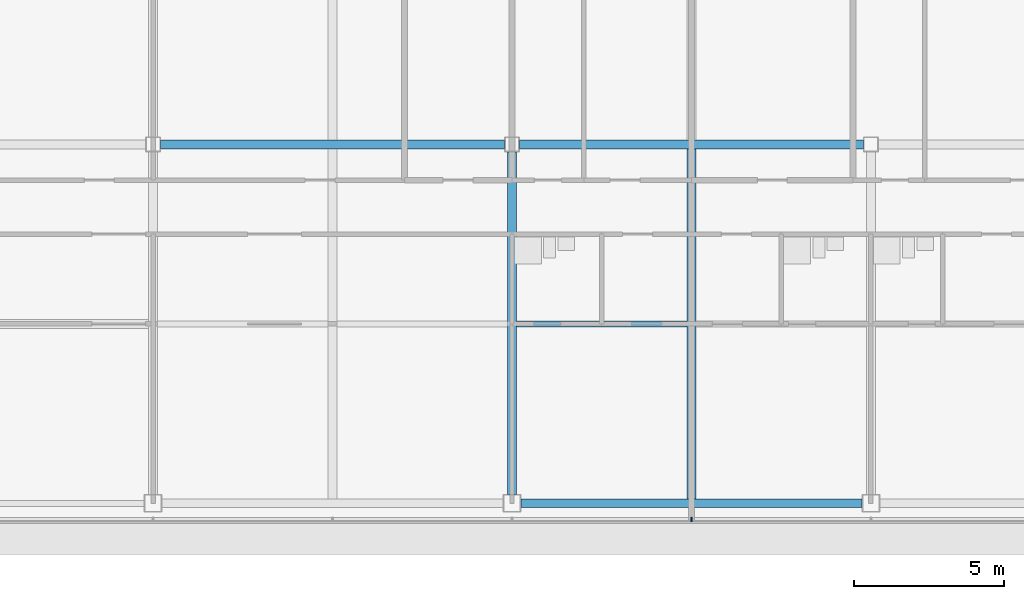
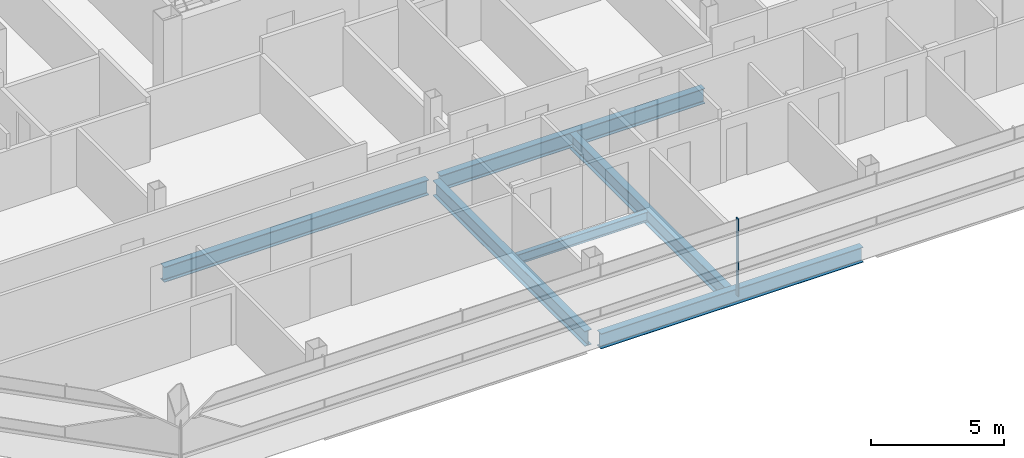
# One storey, part 4 of 28: 6 beams, 1 member, 1 element without a shape of its own.
"""IFC4 building model written with IfcOpenShell, lengths in metres."""

from ifc_helpers import new_model, si_unit, direction, frame, origin, origin_2d, place, context, subcontext, project, spatial, rectangle, i_section, extrude, material, material_profile, profile_set, type_object, element, aggregate, save


model = new_model("IFC4")

# Units and contexts
model_context = context("Model", 3, precision=1e-05, world=origin(), true_north=direction((0.0, 1.0)))
body_context = subcontext(model_context, "Body", "Model", "MODEL_VIEW")
ifc_project = project(units=[si_unit("LENGTHUNIT", "METRE"), si_unit("AREAUNIT", "SQUARE_METRE"), si_unit("VOLUMEUNIT", "CUBIC_METRE"), si_unit("PLANEANGLEUNIT", "RADIAN"), si_unit("MASSUNIT", "GRAM", prefix="KILO")], contexts=[model_context])

# Site, building, storey
site_placement = place(None, origin())
site = spatial("IfcSite", under=ifc_project, at=site_placement, CompositionType="ELEMENT")
building_placement = place(site_placement, origin())
building = spatial("IfcBuilding", under=site, at=building_placement, Name="Sorahane Residences", CompositionType="ELEMENT")
storey_placement = place(building_placement, frame((0.0, 0.0, 254.0)))
storey = spatial("IfcBuildingStorey", under=building, at=storey_placement, Name="L60", CompositionType="ELEMENT", Elevation=254.0)

# Curtain wall, member
ifc_material_1 = material(Name="Dark low-e glass and black anodised aluminium", Category="aluminium")
curtain_wall_type = type_object("IfcCurtainWallType", Name="Curtain wall CW-1 Typical unitised wall", PredefinedType="NOTDEFINED", material=ifc_material_1)
curtain_wall_placement = place(storey_placement, origin())
curtain_wall = element("IfcCurtainWall", 1, at=curtain_wall_placement, inside=storey, type_object=curtain_wall_type, Name="CW-1 curtain wall L60 S1", PredefinedType="NOTDEFINED")
ifc_material_2 = material(Name="Black anodised aluminium", Category="aluminium")
ifc_material_profile_1 = material_profile(ifc_material_2, rectangle(XDim=0.159912109375, YDim=0.050048828125, at=origin_2d()), Name="Curtain wall mullion CW-1 black anodised aluminium 50x160")
ifc_profile_set_1 = profile_set([ifc_material_profile_1], Name="Black anodised aluminium")
member_type = type_object("IfcMemberType", Name="Curtain wall mullion CW-1 black anodised aluminium 50x160", PredefinedType="MULLION", material=ifc_profile_set_1)
member_placement = place(storey_placement, frame((18.0, -0.5400390625, -0.179931640625), z_axis=(0.0, 0.0, 1.0), x_axis=(0.0, -1.0, 0.0)))
member = element("IfcMember", 2, at=member_placement, type_object=member_type, Name="CW-1 mullion L60 S1.5", PredefinedType="MULLION", context=body_context, shape_type="SweptSolid", body=[
    extrude(rectangle(XDim=0.159912109375, YDim=0.050048828125, at=origin_2d()), origin(), (0.0, 0.0, 1.0), 3.559814453125),
])
aggregate(curtain_wall, [member])

# Beams
ifc_material_3 = material(Name="Steel Q355B", Category="steel")
ifc_material_profile_2 = material_profile(ifc_material_3, i_section(OverallWidth=0.199951171875, OverallDepth=0.449951171875, WebThickness=0.009033203125, FlangeThickness=0.013916015625, FilletRadius=0.02001953125, at=origin_2d()), Name="HN 450x200x9x14")
ifc_profile_set_2 = profile_set([ifc_material_profile_2], Name="Steel Q355B")
beam_type_1 = type_object("IfcBeamType", Name="Steel floor beam HN 450x200x9x14 Q355B", PredefinedType="BEAM", material=ifc_profile_set_2)
beam_1_placement = place(storey_placement, frame((12.14990234375, 6.0, -0.405029296875), z_axis=(1.0, 0.0, 0.0), x_axis=(0.0, 1.0, 0.0)))
element("IfcBeam", 3, at=beam_1_placement, inside=storey, type_object=beam_type_1, Name="Beam L60 071", PredefinedType="BEAM", context=body_context, shape_type="SweptSolid", body=[
    extrude(i_section(OverallWidth=0.199951171875, OverallDepth=0.449951171875, WebThickness=0.009033203125, FlangeThickness=0.013916015625, FilletRadius=0.02001953125, at=origin_2d()), origin(), (0.0, 0.0, 1.0), 5.7001953125),
])
ifc_material_4 = material(Name="Steel Q355B", Category="steel")
ifc_material_profile_3 = material_profile(ifc_material_4, i_section(OverallWidth=0.300048828125, OverallDepth=0.699951171875, WebThickness=0.012939453125, FlangeThickness=0.02392578125, FilletRadius=0.028076171875, at=origin_2d()), Name="HN 700x300x13x24")
ifc_profile_set_3 = profile_set([ifc_material_profile_3], Name="Steel Q355B")
beam_type_2 = type_object("IfcBeamType", Name="Steel floor beam HN 700x300x13x24 Q355B", PredefinedType="BEAM", material=ifc_profile_set_3)
beam_2_placement = place(storey_placement, frame((12.300048828125, 0.0, -0.530029296875), z_axis=(1.0, 0.0, 0.0), x_axis=(0.0, 1.0, 0.0)))
element("IfcBeam", 4, at=beam_2_placement, inside=storey, type_object=beam_type_2, Name="Beam L60 002", PredefinedType="BEAM", context=body_context, shape_type="SweptSolid", body=[
    extrude(i_section(OverallWidth=0.300048828125, OverallDepth=0.699951171875, WebThickness=0.012939453125, FlangeThickness=0.02392578125, FilletRadius=0.028076171875, at=origin_2d()), origin(), (0.0, 0.0, 1.0), 11.39990234375),
])
for number, where, z_axis, x_axis, name in (
    (5, (0.25, 12.0, -0.530029296875), (1.0, 0.0, 0.0), (0.0, 1.0, 0.0), "Beam L60 006"),
    (6, (12.25, 12.0, -0.530029296875), (1.0, 0.0, 0.0), (0.0, 1.0, 0.0), "Beam L60 007"),
):
    element("IfcBeam", number, at=place(storey_placement, frame(where, z_axis=z_axis, x_axis=x_axis)), inside=storey, type_object=beam_type_2, Name=name, PredefinedType="BEAM", context=body_context, shape_type="SweptSolid", body=[
        extrude(i_section(OverallWidth=0.300048828125, OverallDepth=0.699951171875, WebThickness=0.012939453125, FlangeThickness=0.02392578125, FilletRadius=0.028076171875, at=origin_2d()), origin(), (0.0, 0.0, 1.0), 11.5),
    ])
beam_3_placement = place(storey_placement, frame((12.0, 0.300048828125, -0.530029296875), z_axis=(0.0, 1.0, 0.0), x_axis=(-1.0, 0.0, 0.0)))
element("IfcBeam", 7, at=beam_3_placement, inside=storey, type_object=beam_type_2, Name="Beam L60 034", PredefinedType="BEAM", context=body_context, shape_type="SweptSolid", body=[
    extrude(i_section(OverallWidth=0.300048828125, OverallDepth=0.699951171875, WebThickness=0.012939453125, FlangeThickness=0.02392578125, FilletRadius=0.028076171875, at=origin_2d()), origin(), (0.0, 0.0, 1.0), 11.449951171875),
])
beam_4_placement = place(storey_placement, frame((18.0, 0.14990234375, -0.530029296875), z_axis=(0.0, 1.0, 0.0), x_axis=(-1.0, 0.0, 0.0)))
element("IfcBeam", 8, at=beam_4_placement, inside=storey, type_object=beam_type_2, Name="Beam L60 036", PredefinedType="BEAM", context=body_context, shape_type="SweptSolid", body=[
    extrude(i_section(OverallWidth=0.300048828125, OverallDepth=0.699951171875, WebThickness=0.012939453125, FlangeThickness=0.02392578125, FilletRadius=0.028076171875, at=origin_2d()), origin(), (0.0, 0.0, 1.0), 11.7001953125),
])

save(model, "model.ifc")
